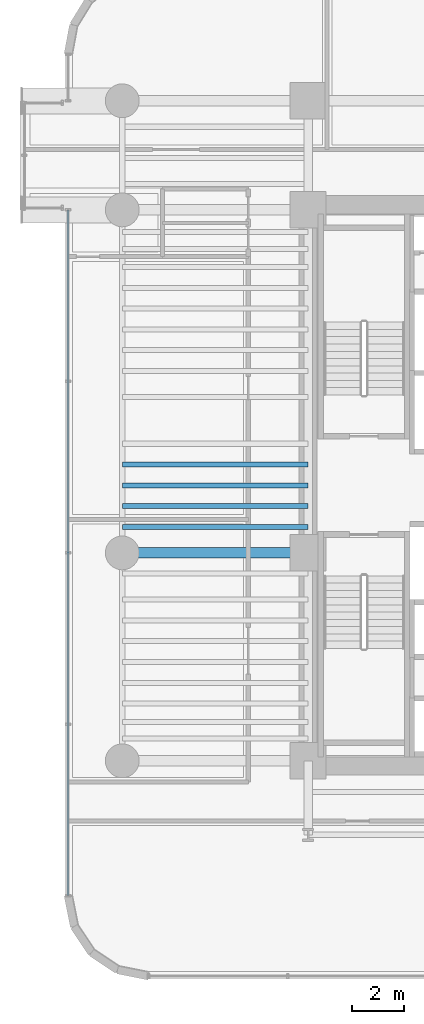
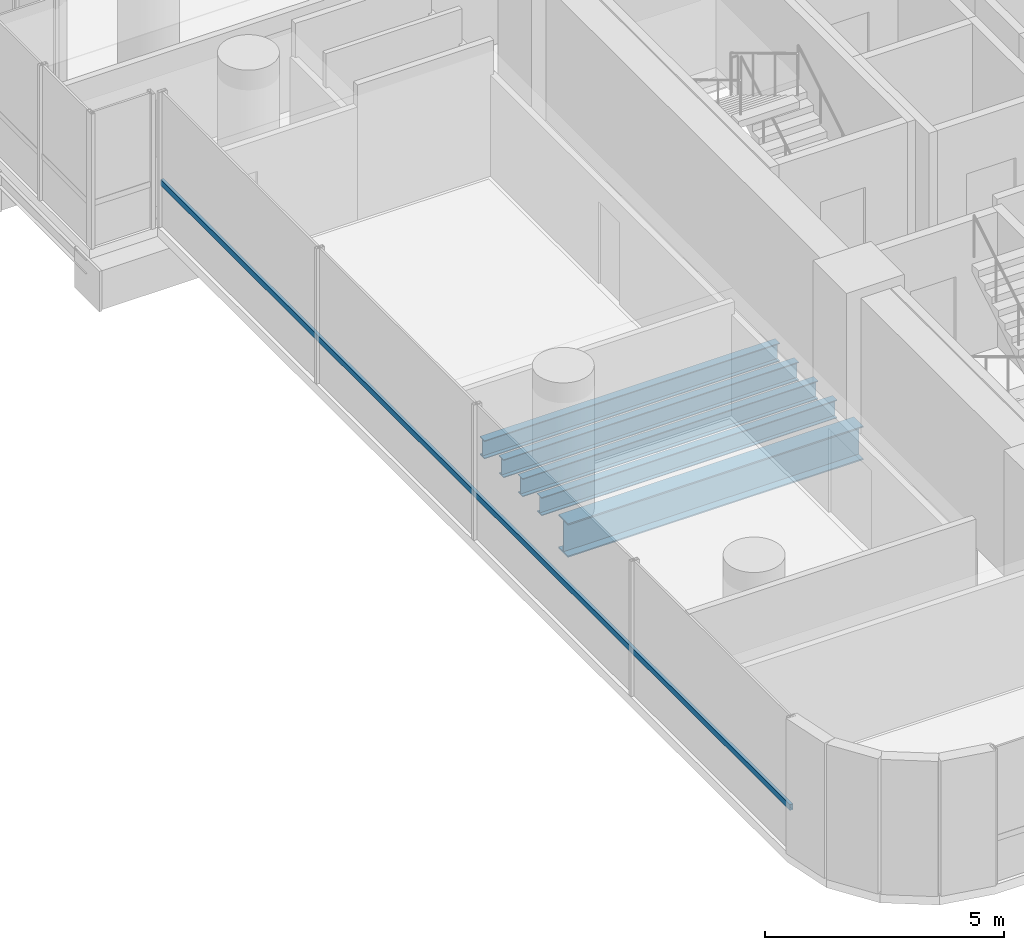
# One storey, part 9 of 40: 5 beams, 1 member, 1 element without a shape of its own.
"""IFC4 building model written with IfcOpenShell, lengths in metres."""

from ifc_helpers import new_model, si_unit, direction, frame, origin, origin_2d, place, context, subcontext, project, spatial, hollow_rectangle, i_section, extrude, source, transform, mapped, material, material_profile, profile_set, type_object, element, aggregate, save


model = new_model("IFC4")

# Units and contexts
model_context = context("Model", 3, precision=1e-05, world=origin(), true_north=direction((0.0, 1.0)))
body_context = subcontext(model_context, "Body", "Model", "MODEL_VIEW")
ifc_project = project(units=[si_unit("LENGTHUNIT", "METRE"), si_unit("AREAUNIT", "SQUARE_METRE"), si_unit("VOLUMEUNIT", "CUBIC_METRE"), si_unit("PLANEANGLEUNIT", "RADIAN"), si_unit("MASSUNIT", "GRAM", prefix="KILO")], contexts=[model_context])

# Site, building, storey
site_placement = place(None, origin())
site = spatial("IfcSite", under=ifc_project, at=site_placement, CompositionType="ELEMENT")
building_placement = place(site_placement, origin())
building = spatial("IfcBuilding", under=site, at=building_placement, Name="Valdorenza Pilgrim Sanctuary Tower", CompositionType="ELEMENT")
storey_placement = place(building_placement, frame((0.0, 0.0, 48.199951171875)))
storey = spatial("IfcBuildingStorey", under=building, at=storey_placement, Name="L11", CompositionType="ELEMENT", Elevation=48.199951171875)

# Beams
ifc_material_1 = material(Name="Steel ASTM A992 Grade 50", Category="steel")
ifc_material_profile_1 = material_profile(ifc_material_1, i_section(OverallWidth=0.193115234375, OverallDepth=0.466064453125, WebThickness=0.011474609375, FlangeThickness=0.01904296875, at=origin_2d()), Name="W18X65")
ifc_profile_set_1 = profile_set([ifc_material_profile_1], Name="Steel ASTM A992 Grade 50")
beam_type_1 = type_object("IfcBeamType", Name="STR-BM-JST-W18A", PredefinedType="JOIST", material=ifc_profile_set_1)
shared_shape_1 = source(origin(), body_context, "Body", "SweptSolid", [
    extrude(i_section(OverallWidth=0.193115234375, OverallDepth=0.466064453125, WebThickness=0.011474609375, FlangeThickness=0.01904296875, at=origin_2d()), origin(), (0.0, 0.0, 1.0), 7.150146484375),
])
for number, where, z_axis, x_axis, name in (
    (1, (-29.800048828125, -1.60009765625, -0.472900390625), (1.0, 0.0, 0.0), (0.0, 1.0, 0.0), "L11 Composite Floor Joist JST-WA-10"),
    (2, (-29.800048828125, -0.800048828125, -0.472900390625), (1.0, 0.0, 0.0), (0.0, 1.0, 0.0), "L11 Composite Floor Joist JST-WA-11"),
    (3, (-29.800048828125, 0.0, -0.472900390625), (1.0, 0.0, 0.0), (0.0, 1.0, 0.0), "L11 Composite Floor Joist JST-WA-12"),
    (4, (-29.800048828125, 0.800048828125, -0.472900390625), (1.0, 0.0, 0.0), (0.0, 1.0, 0.0), "L11 Composite Floor Joist JST-WA-13"),
):
    element("IfcBeam", number, at=place(storey_placement, frame(where, z_axis=z_axis, x_axis=x_axis)), inside=storey, type_object=beam_type_1, Name=name, PredefinedType="JOIST", context=body_context, shape_type="MappedRepresentation", body=[
        mapped(shared_shape_1, transform((0.0, 0.0, 0.0), x_axis=(1.0, 0.0, 0.0), y_axis=(0.0, 1.0, 0.0), z_axis=(0.0, 0.0, 1.0), scale=1.0)),
    ])
ifc_material_profile_2 = material_profile(ifc_material_1, i_section(OverallWidth=0.39990234375, OverallDepth=0.862060546875, WebThickness=0.019775390625, FlangeThickness=0.032470703125, at=origin_2d()), Name="W33X221")
ifc_profile_set_2 = profile_set([ifc_material_profile_2], Name="Steel ASTM A992 Grade 50")
beam_type_2 = type_object("IfcBeamType", Name="STR-BM-GRD-W33", PredefinedType="BEAM", material=ifc_profile_set_2)
shared_shape_2 = source(origin(), body_context, "Body", "SweptSolid", [
    extrude(i_section(OverallWidth=0.39990234375, OverallDepth=0.862060546875, WebThickness=0.019775390625, FlangeThickness=0.032470703125, at=origin_2d()), origin(), (0.0, 0.0, 1.0), 7.150146484375),
])
beam_placement = place(storey_placement, frame((-29.800048828125, -2.60009765625, -0.6708984375), z_axis=(1.0, 0.0, 0.0), x_axis=(0.0, 1.0, 0.0)))
element("IfcBeam", 5, at=beam_placement, inside=storey, type_object=beam_type_2, Name="L11 Floor Girder WA-XW-M0", PredefinedType="BEAM", context=body_context, shape_type="MappedRepresentation", body=[
    mapped(shared_shape_2, transform((0.0, 0.0, 0.0), x_axis=(1.0, 0.0, 0.0), y_axis=(0.0, 1.0, 0.0), z_axis=(0.0, 0.0, 1.0), scale=1.0)),
])

# Curtain wall, member
ifc_material_2 = material(Name="Curtain-wall IGU glazing", Category="glass")
curtain_wall_type = type_object("IfcCurtainWallType", Name="CW-SYS-02", PredefinedType="NOTDEFINED", material=ifc_material_2)
curtain_wall_placement = place(storey_placement, origin())
curtain_wall = element("IfcCurtainWall", 6, at=curtain_wall_placement, inside=storey, type_object=curtain_wall_type, Name="L11 Curtain Wall CW-L11-1-1S1", PredefinedType="NOTDEFINED")
ifc_material_3 = material(Name="Anodised aluminium AW-6060", Category="aluminium")
ifc_material_profile_3 = material_profile(ifc_material_3, hollow_rectangle(XDim=0.074951171875, YDim=0.14990234375, WallThickness=0.00390625, at=origin_2d()), Name="ALU-T 150x75x4")
ifc_profile_set_3 = profile_set([ifc_material_profile_3], Name="Anodised aluminium AW-6060")
member_type = type_object("IfcMemberType", Name="CW-TRN-02", PredefinedType="USERDEFINED", material=ifc_profile_set_3)
shared_shape_3 = source(origin(), body_context, "Body", "SweptSolid", [
    extrude(hollow_rectangle(XDim=0.074951171875, YDim=0.14990234375, WallThickness=0.00390625, at=origin_2d()), origin(), (0.0, 0.0, 1.0), 26.389404296875),
])
member_placement = place(storey_placement, frame((-31.889892578125, -15.789306640625, 1.1201171875), z_axis=(0.0, 1.0, 0.0), x_axis=(-1.0, 0.0, 0.0)))
member = element("IfcMember", 7, at=member_placement, type_object=member_type, Name="CW-L11-1-1S1 Transom 1", ObjectType="TRANSOM", PredefinedType="USERDEFINED", context=body_context, shape_type="MappedRepresentation", body=[
    mapped(shared_shape_3, transform((0.0, 0.0, 0.0), x_axis=(1.0, 0.0, 0.0), y_axis=(0.0, 1.0, 0.0), z_axis=(0.0, 0.0, 1.0), scale=1.0)),
])
aggregate(curtain_wall, [member])

save(model, "model.ifc")
